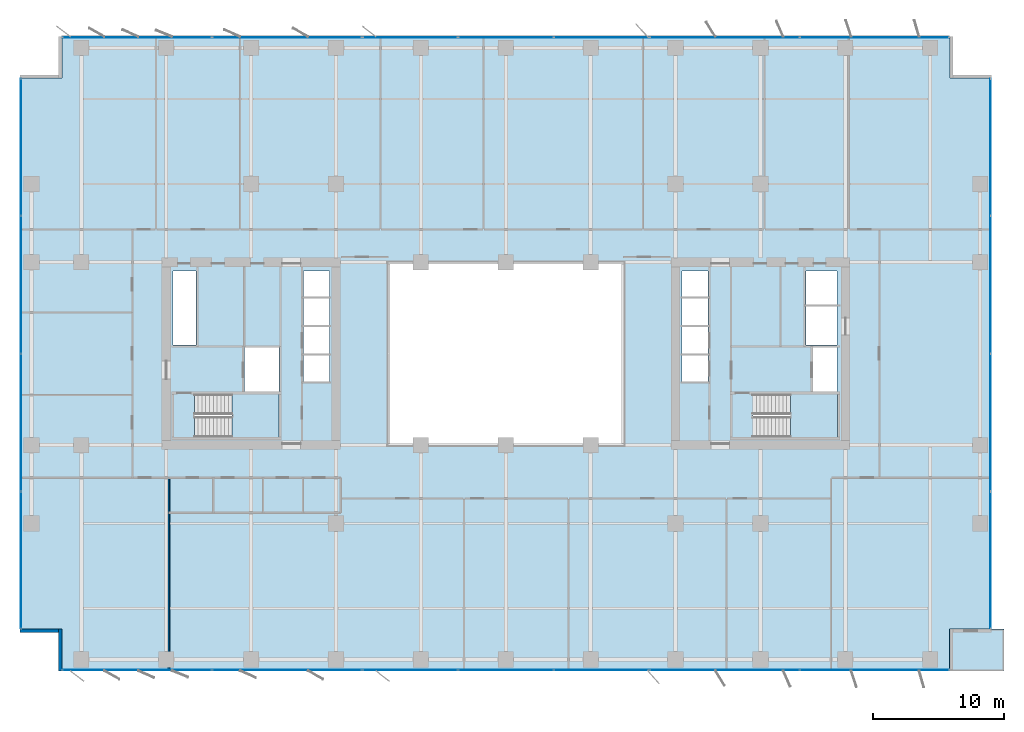
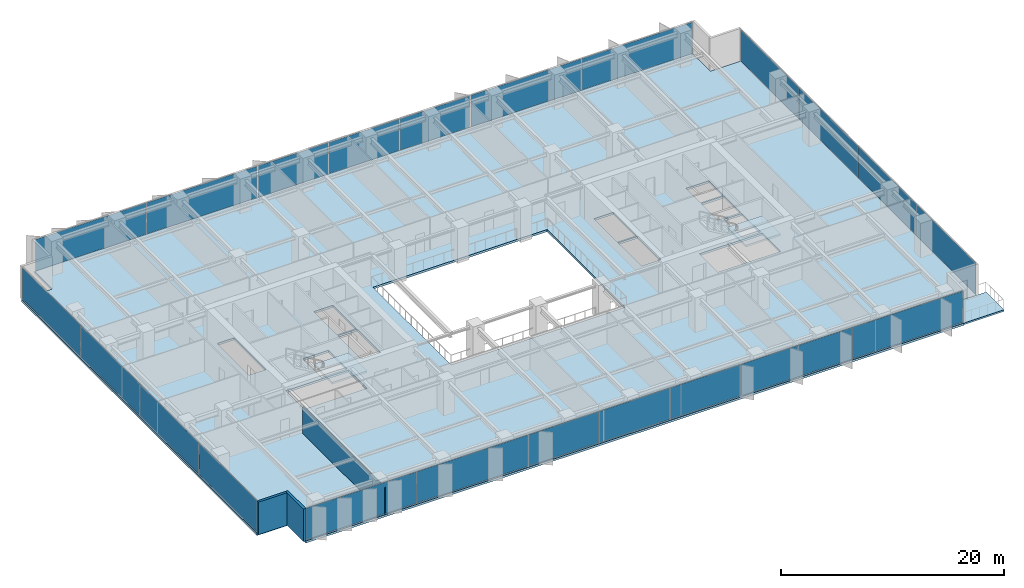
# One storey, part 12 of 20: 22 plates, 4 slabs, 3 walls, 10 elements without a shape of their own.
"""IFC4 building model written with IfcOpenShell, lengths in metres."""

from ifc_helpers import new_model, si_unit, direction, frame, frame_2d, origin, origin_2d, place, context, subcontext, project, spatial, polyline, rectangle, outline, extrude, material, layer, layer_set, type_object, element, aggregate, save


model = new_model("IFC4")

# Units and contexts
model_context = context("Model", 3, precision=1e-05, world=origin(), true_north=direction((0.0, 1.0)))
body_context = subcontext(model_context, "Body", "Model", "MODEL_VIEW")
ifc_project = project(units=[si_unit("LENGTHUNIT", "METRE"), si_unit("AREAUNIT", "SQUARE_METRE"), si_unit("VOLUMEUNIT", "CUBIC_METRE"), si_unit("PLANEANGLEUNIT", "RADIAN"), si_unit("MASSUNIT", "GRAM", prefix="KILO")], contexts=[model_context])

# Site, building, storey
site_placement = place(None, origin())
site = spatial("IfcSite", under=ifc_project, at=site_placement, CompositionType="ELEMENT")
building_placement = place(site_placement, origin())
building = spatial("IfcBuilding", under=site, at=building_placement, Name="Putna Gate Headquarters", CompositionType="ELEMENT")
storey_placement = place(building_placement, frame((0.0, 0.0, 116.39990234375)))
storey = spatial("IfcBuildingStorey", under=building, at=storey_placement, Name="L28", CompositionType="ELEMENT", Elevation=116.39990234375)

# Stair, slab
ifc_material_1 = material(Name="Concrete C40/50", Category="concrete")
stair_type_1 = type_object("IfcStairType", Name="STAIR-ST1", PredefinedType="HALF_TURN_STAIR", material=ifc_material_1)
stair_1_placement = place(storey_placement, origin())
stair_1 = element("IfcStair", 1, at=stair_1_placement, inside=storey, type_object=stair_type_1, Name="L28 West Core Exit Stair ST1", PredefinedType="HALF_TURN_STAIR")
ifc_layer_1 = layer(ifc_material_1, 0.199951171875)
ifc_layer_set_1 = layer_set([ifc_layer_1], Name="Concrete C40/50")
slab_type_1 = type_object("IfcSlabType", Name="LANDING-ST1", PredefinedType="LANDING", material=ifc_layer_set_1)
slab_1_placement = place(storey_placement, frame((0.0, 0.0, 1.7001953125)))
slab_1 = element("IfcSlab", 2, at=slab_1_placement, type_object=slab_type_1, Name="ST1 landing 1", PredefinedType="LANDING", context=body_context, shape_type="SweptSolid", body=[
    extrude(outline(polyline([(18.050048828125, 19.60009765625), (21.64990234375, 19.60009765625), (21.64990234375, 22.89990234375), (18.050048828125, 22.89990234375), (18.050048828125, 19.60009765625)])), origin(), (0.0, 0.0, 1.0), 0.199951171875),
])
aggregate(stair_1, [slab_1])

stair_type_2 = type_object("IfcStairType", Name="STAIR-ST2", PredefinedType="HALF_TURN_STAIR", material=ifc_material_1)
stair_2_placement = place(storey_placement, origin())
stair_2 = element("IfcStair", 3, at=stair_2_placement, inside=storey, type_object=stair_type_2, Name="L28 East Core Exit Stair ST2", PredefinedType="HALF_TURN_STAIR")
ifc_layer_2 = layer(ifc_material_1, 0.199951171875)
ifc_layer_set_2 = layer_set([ifc_layer_2], Name="Concrete C40/50")
slab_type_2 = type_object("IfcSlabType", Name="LANDING-ST2", PredefinedType="LANDING", material=ifc_layer_set_2)
slab_2_placement = place(storey_placement, frame((0.0, 0.0, 1.7001953125)))
slab_2 = element("IfcSlab", 4, at=slab_2_placement, type_object=slab_type_2, Name="ST2 landing 1", PredefinedType="LANDING", context=body_context, shape_type="SweptSolid", body=[
    extrude(outline(polyline([(60.800048828125, 19.60009765625), (64.39990234375, 19.60009765625), (64.39990234375, 22.89990234375), (60.800048828125, 22.89990234375), (60.800048828125, 19.60009765625)])), origin(), (0.0, 0.0, 1.0), 0.199951171875),
])
aggregate(stair_2, [slab_2])

# Curtain wall, plates
ifc_material_2 = material(Name="Anodised bronze aluminium curtain wall", Category="aluminium")
ifc_layer_3 = layer(ifc_material_2, 0.159912109375)
ifc_layer_set_3 = layer_set([ifc_layer_3], Name="Anodised bronze aluminium curtain wall")
curtain_wall_type_1 = type_object("IfcCurtainWallType", Name="CW-SYS-Z2", PredefinedType="USERDEFINED", material=ifc_layer_set_3)
curtain_wall_1_placement = place(storey_placement, origin())
curtain_wall_1 = element("IfcCurtainWall", 5, at=curtain_wall_1_placement, inside=storey, type_object=curtain_wall_type_1, Name="L28 South West Curtain Wall", ObjectType="STICK CURTAIN WALL", PredefinedType="USERDEFINED")
ifc_material_3 = material(Name="Solar-control triple low-E glass", Category="glass")
ifc_layer_4 = layer(ifc_material_3, 0.030029296875)
ifc_layer_set_4 = layer_set([ifc_layer_4], Name="Solar-control triple low-E glass")
plate_type_1 = type_object("IfcPlateType", Name="PAN-CWP-2", PredefinedType="CURTAIN_PANEL", material=ifc_layer_set_4)
plate_1_placement = place(storey_placement, frame((10.766357421875, 1.780029296875, 0.065185546875), z_axis=(0.0, 0.0, 1.0), x_axis=(1.0, 0.0, 0.0)))
plate_1 = element("IfcPlate", 6, at=plate_1_placement, type_object=plate_type_1, Name="CWS-2 panel 1.1", PredefinedType="CURTAIN_PANEL", context=body_context, shape_type="SweptSolid", body=[
    extrude(rectangle(XDim=11.402587890625, YDim=0.030029296875, at=origin_2d()), origin(), (0.0, 0.0, 1.0), 3.43505859375),
])
plate_2_placement = place(storey_placement, frame((22.233642578125, 1.780029296875, 0.065185546875), z_axis=(0.0, 0.0, 1.0), x_axis=(1.0, 0.0, 0.0)))
plate_2 = element("IfcPlate", 7, at=plate_2_placement, type_object=plate_type_1, Name="CWS-2 panel 2.1", PredefinedType="CURTAIN_PANEL", context=body_context, shape_type="SweptSolid", body=[
    extrude(rectangle(XDim=11.402587890625, YDim=0.030029296875, at=origin_2d()), origin(), (0.0, 0.0, 1.0), 3.43505859375),
])
aggregate(curtain_wall_1, [plate_1, plate_2])

curtain_wall_2_placement = place(storey_placement, origin())
curtain_wall_2 = element("IfcCurtainWall", 8, at=curtain_wall_2_placement, inside=storey, type_object=curtain_wall_type_1, Name="L28 South East Curtain Wall", ObjectType="STICK CURTAIN WALL", PredefinedType="USERDEFINED")
plate_3_placement = place(storey_placement, frame((55.766357421875, 1.780029296875, 0.065185546875), z_axis=(0.0, 0.0, 1.0), x_axis=(1.0, 0.0, 0.0)))
plate_3 = element("IfcPlate", 9, at=plate_3_placement, type_object=plate_type_1, Name="CWS-2 panel 1.1", PredefinedType="CURTAIN_PANEL", context=body_context, shape_type="SweptSolid", body=[
    extrude(rectangle(XDim=11.402587890625, YDim=0.030029296875, at=origin_2d()), origin(), (0.0, 0.0, 1.0), 3.43505859375),
])
plate_4_placement = place(storey_placement, frame((67.233642578125, 1.780029296875, 0.065185546875), z_axis=(0.0, 0.0, 1.0), x_axis=(1.0, 0.0, 0.0)))
plate_4 = element("IfcPlate", 10, at=plate_4_placement, type_object=plate_type_1, Name="CWS-2 panel 2.1", PredefinedType="CURTAIN_PANEL", context=body_context, shape_type="SweptSolid", body=[
    extrude(rectangle(XDim=11.402587890625, YDim=0.030029296875, at=origin_2d()), origin(), (0.0, 0.0, 1.0), 3.43505859375),
])
aggregate(curtain_wall_2, [plate_3, plate_4])

curtain_wall_3_placement = place(storey_placement, origin())
curtain_wall_3 = element("IfcCurtainWall", 11, at=curtain_wall_3_placement, inside=storey, type_object=curtain_wall_type_1, Name="L28 North West Curtain Wall", ObjectType="STICK CURTAIN WALL", PredefinedType="USERDEFINED")
plate_5_placement = place(storey_placement, frame((10.766357421875, 50.219970703125, 0.065185546875), z_axis=(0.0, 0.0, 1.0), x_axis=(1.0, 0.0, 0.0)))
plate_5 = element("IfcPlate", 12, at=plate_5_placement, type_object=plate_type_1, Name="CWS-2 panel 1.1", PredefinedType="CURTAIN_PANEL", context=body_context, shape_type="SweptSolid", body=[
    extrude(rectangle(XDim=11.402587890625, YDim=0.030029296875, at=origin_2d()), origin(), (0.0, 0.0, 1.0), 3.43505859375),
])
plate_6_placement = place(storey_placement, frame((22.233642578125, 50.219970703125, 0.065185546875), z_axis=(0.0, 0.0, 1.0), x_axis=(1.0, 0.0, 0.0)))
plate_6 = element("IfcPlate", 13, at=plate_6_placement, type_object=plate_type_1, Name="CWS-2 panel 2.1", PredefinedType="CURTAIN_PANEL", context=body_context, shape_type="SweptSolid", body=[
    extrude(rectangle(XDim=11.402587890625, YDim=0.030029296875, at=origin_2d()), origin(), (0.0, 0.0, 1.0), 3.43505859375),
])
aggregate(curtain_wall_3, [plate_5, plate_6])

curtain_wall_4_placement = place(storey_placement, origin())
curtain_wall_4 = element("IfcCurtainWall", 14, at=curtain_wall_4_placement, inside=storey, type_object=curtain_wall_type_1, Name="L28 North East Curtain Wall", ObjectType="STICK CURTAIN WALL", PredefinedType="USERDEFINED")
plate_7_placement = place(storey_placement, frame((55.766357421875, 50.219970703125, 0.065185546875), z_axis=(0.0, 0.0, 1.0), x_axis=(1.0, 0.0, 0.0)))
plate_7 = element("IfcPlate", 15, at=plate_7_placement, type_object=plate_type_1, Name="CWS-2 panel 1.1", PredefinedType="CURTAIN_PANEL", context=body_context, shape_type="SweptSolid", body=[
    extrude(rectangle(XDim=11.402587890625, YDim=0.030029296875, at=origin_2d()), origin(), (0.0, 0.0, 1.0), 3.43505859375),
])
plate_8_placement = place(storey_placement, frame((67.233642578125, 50.219970703125, 0.065185546875), z_axis=(0.0, 0.0, 1.0), x_axis=(1.0, 0.0, 0.0)))
plate_8 = element("IfcPlate", 16, at=plate_8_placement, type_object=plate_type_1, Name="CWS-2 panel 2.1", PredefinedType="CURTAIN_PANEL", context=body_context, shape_type="SweptSolid", body=[
    extrude(rectangle(XDim=11.402587890625, YDim=0.030029296875, at=origin_2d()), origin(), (0.0, 0.0, 1.0), 3.43505859375),
])
aggregate(curtain_wall_4, [plate_7, plate_8])

curtain_wall_5_placement = place(storey_placement, origin())
curtain_wall_5 = element("IfcCurtainWall", 17, at=curtain_wall_5_placement, inside=storey, type_object=curtain_wall_type_1, Name="L28 West Curtain Wall", ObjectType="STICK CURTAIN WALL", PredefinedType="USERDEFINED")
plate_9_placement = place(storey_placement, frame((1.8798828125, 10.191162109375, 0.065185546875), z_axis=(0.0, 0.0, 1.0), x_axis=(0.0, 1.0, 0.0)))
plate_9 = element("IfcPlate", 18, at=plate_9_placement, type_object=plate_type_1, Name="CWS-2 panel 1.1", PredefinedType="CURTAIN_PANEL", context=body_context, shape_type="SweptSolid", body=[
    extrude(rectangle(XDim=10.452392578125, YDim=0.030029296875, at=origin_2d()), origin(), (0.0, 0.0, 1.0), 3.43505859375),
])
plate_10_placement = place(storey_placement, frame((1.8798828125, 20.72509765625, 0.065185546875), z_axis=(0.0, 0.0, 1.0), x_axis=(0.0, 1.0, 0.0)))
plate_10 = element("IfcPlate", 19, at=plate_10_placement, type_object=plate_type_1, Name="CWS-2 panel 2.1", PredefinedType="CURTAIN_PANEL", context=body_context, shape_type="SweptSolid", body=[
    extrude(rectangle(XDim=10.485107421875, YDim=0.030029296875, at=origin_2d()), origin(), (0.0, 0.0, 1.0), 3.43505859375),
])
plate_11_placement = place(storey_placement, frame((1.8798828125, 31.27490234375, 0.065185546875), z_axis=(0.0, 0.0, 1.0), x_axis=(0.0, 1.0, 0.0)))
plate_11 = element("IfcPlate", 20, at=plate_11_placement, type_object=plate_type_1, Name="CWS-2 panel 3.1", PredefinedType="CURTAIN_PANEL", context=body_context, shape_type="SweptSolid", body=[
    extrude(rectangle(XDim=10.485107421875, YDim=0.030029296875, at=origin_2d()), origin(), (0.0, 0.0, 1.0), 3.43505859375),
])
plate_12_placement = place(storey_placement, frame((1.8798828125, 41.808837890625, 0.065185546875), z_axis=(0.0, 0.0, 1.0), x_axis=(0.0, 1.0, 0.0)))
plate_12 = element("IfcPlate", 21, at=plate_12_placement, type_object=plate_type_1, Name="CWS-2 panel 4.1", PredefinedType="CURTAIN_PANEL", context=body_context, shape_type="SweptSolid", body=[
    extrude(rectangle(XDim=10.452392578125, YDim=0.030029296875, at=origin_2d()), origin(), (0.0, 0.0, 1.0), 3.43505859375),
])
aggregate(curtain_wall_5, [plate_9, plate_10, plate_11, plate_12])

curtain_wall_6_placement = place(storey_placement, origin())
curtain_wall_6 = element("IfcCurtainWall", 22, at=curtain_wall_6_placement, inside=storey, type_object=curtain_wall_type_1, Name="L28 East Curtain Wall", ObjectType="STICK CURTAIN WALL", PredefinedType="USERDEFINED")
plate_13_placement = place(storey_placement, frame((76.1201171875, 10.191162109375, 0.065185546875), z_axis=(0.0, 0.0, 1.0), x_axis=(0.0, 1.0, 0.0)))
plate_13 = element("IfcPlate", 23, at=plate_13_placement, type_object=plate_type_1, Name="CWS-2 panel 1.1", PredefinedType="CURTAIN_PANEL", context=body_context, shape_type="SweptSolid", body=[
    extrude(rectangle(XDim=10.452392578125, YDim=0.030029296875, at=origin_2d()), origin(), (0.0, 0.0, 1.0), 3.43505859375),
])
plate_14_placement = place(storey_placement, frame((76.1201171875, 20.72509765625, 0.065185546875), z_axis=(0.0, 0.0, 1.0), x_axis=(0.0, 1.0, 0.0)))
plate_14 = element("IfcPlate", 24, at=plate_14_placement, type_object=plate_type_1, Name="CWS-2 panel 2.1", PredefinedType="CURTAIN_PANEL", context=body_context, shape_type="SweptSolid", body=[
    extrude(rectangle(XDim=10.485107421875, YDim=0.030029296875, at=origin_2d()), origin(), (0.0, 0.0, 1.0), 3.43505859375),
])
plate_15_placement = place(storey_placement, frame((76.1201171875, 31.27490234375, 0.065185546875), z_axis=(0.0, 0.0, 1.0), x_axis=(0.0, 1.0, 0.0)))
plate_15 = element("IfcPlate", 25, at=plate_15_placement, type_object=plate_type_1, Name="CWS-2 panel 3.1", PredefinedType="CURTAIN_PANEL", context=body_context, shape_type="SweptSolid", body=[
    extrude(rectangle(XDim=10.485107421875, YDim=0.030029296875, at=origin_2d()), origin(), (0.0, 0.0, 1.0), 3.43505859375),
])
plate_16_placement = place(storey_placement, frame((76.1201171875, 41.808837890625, 0.065185546875), z_axis=(0.0, 0.0, 1.0), x_axis=(0.0, 1.0, 0.0)))
plate_16 = element("IfcPlate", 26, at=plate_16_placement, type_object=plate_type_1, Name="CWS-2 panel 4.1", PredefinedType="CURTAIN_PANEL", context=body_context, shape_type="SweptSolid", body=[
    extrude(rectangle(XDim=10.452392578125, YDim=0.030029296875, at=origin_2d()), origin(), (0.0, 0.0, 1.0), 3.43505859375),
])
aggregate(curtain_wall_6, [plate_13, plate_14, plate_15, plate_16])

ifc_layer_5 = layer(ifc_material_2, 0.179931640625)
ifc_layer_set_5 = layer_set([ifc_layer_5], Name="Anodised bronze aluminium curtain wall")
curtain_wall_type_2 = type_object("IfcCurtainWallType", Name="CW-SYS-ATR", PredefinedType="USERDEFINED", material=ifc_layer_set_5)
curtain_wall_7_placement = place(storey_placement, origin())
curtain_wall_7 = element("IfcCurtainWall", 27, at=curtain_wall_7_placement, inside=storey, type_object=curtain_wall_type_2, Name="L28 South Atrium Clear Glazing", ObjectType="ATRIUM GLAZING", PredefinedType="USERDEFINED")
ifc_material_4 = material(Name="Clear low-iron triple glazing", Category="glass")
ifc_layer_6 = layer(ifc_material_4, 0.0400390625)
ifc_layer_set_6 = layer_set([ifc_layer_6], Name="Clear low-iron triple glazing")
plate_type_2 = type_object("IfcPlateType", Name="PAN-CWP-AT", PredefinedType="CURTAIN_PANEL", material=ifc_layer_set_6)
plate_17_placement = place(storey_placement, frame((31.68408203125, 1.780029296875, 0.0703125), z_axis=(0.0, 0.0, 1.0), x_axis=(1.0, 0.0, 0.0)))
plate_17 = element("IfcPlate", 28, at=plate_17_placement, type_object=plate_type_2, Name="CWS-AT panel 1.1", PredefinedType="CURTAIN_PANEL", context=body_context, shape_type="SweptSolid", body=[
    extrude(rectangle(XDim=7.228271484375, YDim=0.0400390625, at=origin_2d()), origin(), (0.0, 0.0, 1.0), 3.425048828125),
])
plate_18_placement = place(storey_placement, frame((39.0, 1.780029296875, 0.0703125), z_axis=(0.0, 0.0, 1.0), x_axis=(1.0, 0.0, 0.0)))
plate_18 = element("IfcPlate", 29, at=plate_18_placement, type_object=plate_type_2, Name="CWS-AT panel 2.1", PredefinedType="CURTAIN_PANEL", context=body_context, shape_type="SweptSolid", body=[
    extrude(rectangle(XDim=7.263427734375, YDim=0.0400390625, at=origin_2d()), origin(), (0.0, 0.0, 1.0), 3.425048828125),
])
plate_19_placement = place(storey_placement, frame((46.31591796875, 1.780029296875, 0.0703125), z_axis=(0.0, 0.0, 1.0), x_axis=(1.0, 0.0, 0.0)))
plate_19 = element("IfcPlate", 30, at=plate_19_placement, type_object=plate_type_2, Name="CWS-AT panel 3.1", PredefinedType="CURTAIN_PANEL", context=body_context, shape_type="SweptSolid", body=[
    extrude(rectangle(XDim=7.228271484375, YDim=0.0400390625, at=origin_2d()), origin(), (0.0, 0.0, 1.0), 3.425048828125),
])
aggregate(curtain_wall_7, [plate_17, plate_18, plate_19])

curtain_wall_8_placement = place(storey_placement, origin())
curtain_wall_8 = element("IfcCurtainWall", 31, at=curtain_wall_8_placement, inside=storey, type_object=curtain_wall_type_2, Name="L28 North Atrium Clear Glazing", ObjectType="ATRIUM GLAZING", PredefinedType="USERDEFINED")
plate_20_placement = place(storey_placement, frame((31.68408203125, 50.219970703125, 0.0703125), z_axis=(0.0, 0.0, 1.0), x_axis=(1.0, 0.0, 0.0)))
plate_20 = element("IfcPlate", 32, at=plate_20_placement, type_object=plate_type_2, Name="CWS-AT panel 1.1", PredefinedType="CURTAIN_PANEL", context=body_context, shape_type="SweptSolid", body=[
    extrude(rectangle(XDim=7.228271484375, YDim=0.0400390625, at=origin_2d()), origin(), (0.0, 0.0, 1.0), 3.425048828125),
])
plate_21_placement = place(storey_placement, frame((39.0, 50.219970703125, 0.0703125), z_axis=(0.0, 0.0, 1.0), x_axis=(1.0, 0.0, 0.0)))
plate_21 = element("IfcPlate", 33, at=plate_21_placement, type_object=plate_type_2, Name="CWS-AT panel 2.1", PredefinedType="CURTAIN_PANEL", context=body_context, shape_type="SweptSolid", body=[
    extrude(rectangle(XDim=7.263427734375, YDim=0.0400390625, at=origin_2d()), origin(), (0.0, 0.0, 1.0), 3.425048828125),
])
plate_22_placement = place(storey_placement, frame((46.31591796875, 50.219970703125, 0.0703125), z_axis=(0.0, 0.0, 1.0), x_axis=(1.0, 0.0, 0.0)))
plate_22 = element("IfcPlate", 34, at=plate_22_placement, type_object=plate_type_2, Name="CWS-AT panel 3.1", PredefinedType="CURTAIN_PANEL", context=body_context, shape_type="SweptSolid", body=[
    extrude(rectangle(XDim=7.228271484375, YDim=0.0400390625, at=origin_2d()), origin(), (0.0, 0.0, 1.0), 3.425048828125),
])
aggregate(curtain_wall_8, [plate_20, plate_21, plate_22])

# Slabs
ifc_layer_7 = layer(ifc_material_1, 0.179931640625)
ifc_layer_set_7 = layer_set([ifc_layer_7], Name="Concrete C40/50")
slab_type_3 = type_object("IfcSlabType", Name="SLAB-TERRACE-180", PredefinedType="FLOOR", material=ifc_layer_set_7)
slab_3_placement = place(storey_placement, frame((0.0, 0.0, -0.179931640625)))
element("IfcSlab", 35, at=slab_3_placement, inside=storey, type_object=slab_type_3, Name="L28 Spiral Sky-Garden Terrace Slab (SE)", PredefinedType="FLOOR", context=body_context, shape_type="SweptSolid", body=[
    extrude(outline(polyline([(72.991943359375, 1.699951171875), (77.14990234375, 1.699951171875), (77.14990234375, 4.907958984375), (72.991943359375, 4.907958984375), (72.991943359375, 1.699951171875)])), origin(), (0.0, 0.0, 1.0), 0.179931640625),
])
ifc_layer_8 = layer(ifc_material_1, 0.235107421875)
ifc_layer_set_8 = layer_set([ifc_layer_8], Name="Concrete C40/50")
slab_type_4 = type_object("IfcSlabType", Name="SLAB-Z2-235", PredefinedType="FLOOR", material=ifc_layer_set_8)
slab_4_placement = place(storey_placement, frame((0.0, 0.0, -0.23486328125)))
element("IfcSlab", 36, at=slab_4_placement, inside=storey, type_object=slab_type_4, Name="L28 Composite Floor Slab", PredefinedType="FLOOR", context=body_context, shape_type="SweptSolid", body=[
    extrude(outline(polyline([(5.0, 1.699951171875), (73.0, 1.699951171875), (73.0, 4.89990234375), (76.199951171875, 4.89990234375), (76.199951171875, 47.10009765625), (73.0, 47.10009765625), (73.0, 50.300048828125), (5.0, 50.300048828125), (5.0, 47.10009765625), (1.800048828125, 47.10009765625), (1.800048828125, 4.89990234375), (5.0, 4.89990234375), (5.0, 1.699951171875)]), holes=[polyline([(15.1650390625, 19.60009765625), (21.64990234375, 19.60009765625), (21.64990234375, 22.89990234375), (15.1650390625, 22.89990234375), (15.1650390625, 19.60009765625)]), polyline([(57.9150390625, 19.60009765625), (64.39990234375, 19.60009765625), (64.39990234375, 22.89990234375), (57.9150390625, 22.89990234375), (57.9150390625, 19.60009765625)]), polyline([(13.52001953125, 26.659912109375), (15.280029296875, 26.659912109375), (15.280029296875, 32.35009765625), (13.52001953125, 32.35009765625), (13.52001953125, 26.659912109375)]), polyline([(61.969970703125, 29.780029296875), (64.35009765625, 29.780029296875), (64.35009765625, 32.35009765625), (61.969970703125, 32.35009765625), (61.969970703125, 29.780029296875)]), polyline([(18.97998046875, 23.1201171875), (21.6201171875, 23.1201171875), (21.6201171875, 26.4599609375), (18.97998046875, 26.4599609375), (18.97998046875, 23.1201171875)]), polyline([(62.52001953125, 23.1201171875), (64.35009765625, 23.1201171875), (64.35009765625, 26.4599609375), (62.52001953125, 26.4599609375), (62.52001953125, 23.1201171875)]), polyline([(61.969970703125, 26.659912109375), (64.35009765625, 26.659912109375), (64.35009765625, 29.6201171875), (61.969970703125, 29.6201171875), (61.969970703125, 26.659912109375)]), polyline([(23.5, 23.860107421875), (25.5, 23.860107421875), (25.5, 28.0400390625), (23.5, 28.0400390625), (23.5, 23.860107421875)]), polyline([(52.47998046875, 23.860107421875), (54.5, 23.860107421875), (54.5, 28.0400390625), (52.47998046875, 28.0400390625), (52.47998046875, 23.860107421875)]), polyline([(23.5, 28.199951171875), (25.5, 28.199951171875), (25.5, 32.35009765625), (23.5, 32.35009765625), (23.5, 28.199951171875)]), polyline([(52.47998046875, 28.199951171875), (54.5, 28.199951171875), (54.5, 32.35009765625), (52.47998046875, 32.35009765625), (52.47998046875, 28.199951171875)]), polyline([(30.0, 19.0), (48.0, 19.0), (48.0, 33.0), (30.0, 33.0), (30.0, 19.0)])]), origin(), (0.0, 0.0, 1.0), 0.23486328125),
])

# Walls
ifc_material_5 = material(Name="Precast concrete C40/50", Category="concrete")
ifc_layer_9 = layer(ifc_material_5, 0.239990234375)
ifc_layer_set_9 = layer_set([ifc_layer_9], Name="Precast concrete C40/50")
wall_type_1 = type_object("IfcWallType", Name="WALL-EXT-TERR-240", PredefinedType="STANDARD", material=ifc_layer_set_9)
for number, where, z_axis, x_axis, name in (
    (37, (4.8798828125, 1.699951171875, 0.0), (0.0, 0.0, 1.0), (0.0, 1.0, 0.0), "L28 Corner Notch Return Wall SW-V"),
    (38, (5.0, 4.780029296875, 0.0), (0.0, 0.0, 1.0), (-1.0, 0.0, 0.0), "L28 Corner Notch Return Wall SW-H"),
):
    element("IfcWall", number, at=place(storey_placement, frame(where, z_axis=z_axis, x_axis=x_axis)), inside=storey, type_object=wall_type_1, Name=name, PredefinedType="STANDARD", context=body_context, shape_type="SweptSolid", body=[
        extrude(rectangle(XDim=3.199951171875, YDim=0.239990234375, at=frame_2d((1.60009765625, 0.0))), origin(), (0.0, 0.0, 1.0), 3.565185546875),
    ])
ifc_material_6 = material(Name="Acoustic gypsum board on metal stud")
ifc_layer_10 = layer(ifc_material_6, 0.1201171875)
ifc_layer_set_10 = layer_set([ifc_layer_10], Name="Acoustic gypsum board on metal stud")
wall_type_2 = type_object("IfcWallType", Name="WALL-PART-120", PredefinedType="PARTITIONING", material=ifc_layer_set_10)
wall_placement = place(storey_placement, frame((13.199951171875, 1.719970703125, 0.0), z_axis=(0.0, 0.0, 1.0), x_axis=(0.0, 1.0, 0.0)))
element("IfcWall", 39, at=wall_placement, inside=storey, type_object=wall_type_2, Name="L28 Interior Wall PART-L28-SB-DIV-01", PredefinedType="PARTITIONING", context=body_context, shape_type="SweptSolid", body=[
    extrude(rectangle(XDim=14.719970703125, YDim=0.1201171875, at=frame_2d((7.35986328125, 0.0))), origin(), (0.0, 0.0, 1.0), 2.965087890625),
])

save(model, "model.ifc")
